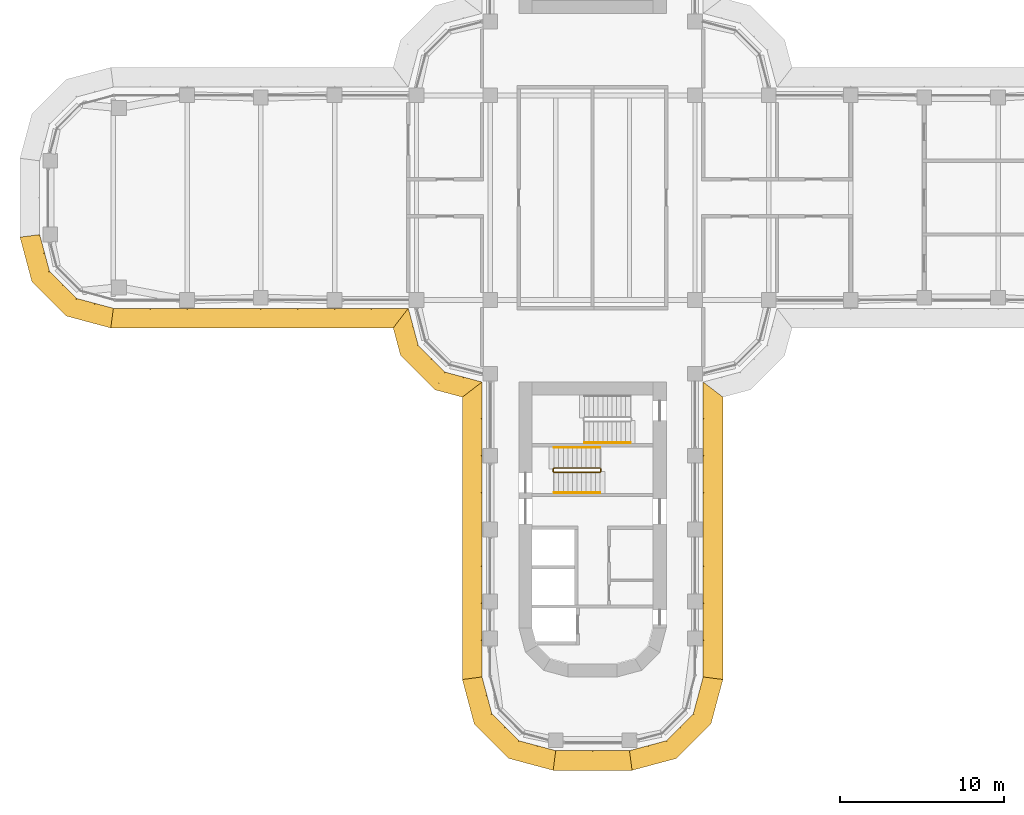
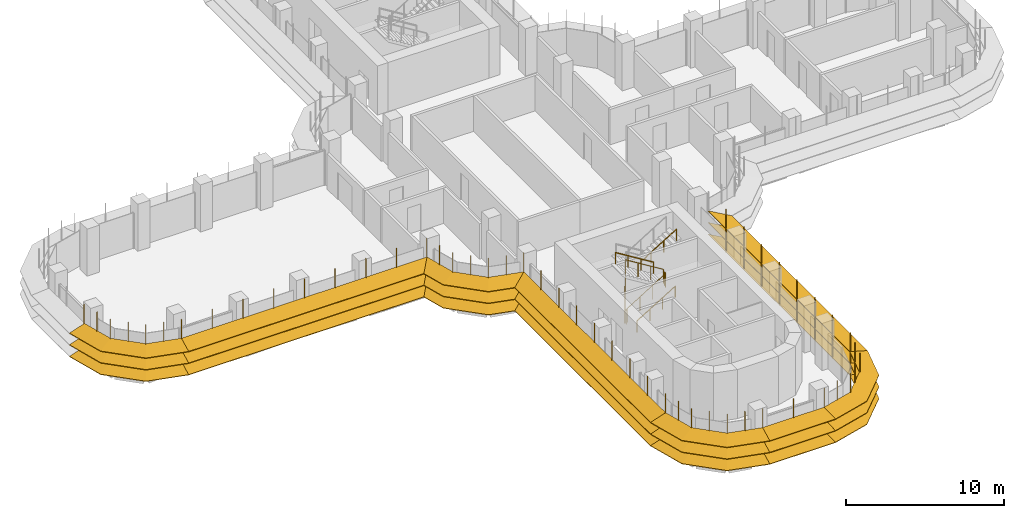
# One storey, part 18 of 21: 8 shading devices, 4 railings.
"""IFC4 building model written with IfcOpenShell, lengths in metres."""

from ifc_helpers import new_model, si_unit, direction, frame, origin, origin_2d, place, context, subcontext, project, spatial, polyline, circle, outline, extrude, faceted_brep, source, transform, mapped, material, type_object, element, save


model = new_model("IFC4")

# Units and contexts
model_context = context("Model", 3, precision=1e-05, world=origin(), true_north=direction((0.0, 1.0)))
body_context = subcontext(model_context, "Body", "Model", "MODEL_VIEW")
ifc_project = project(units=[si_unit("LENGTHUNIT", "METRE"), si_unit("AREAUNIT", "SQUARE_METRE"), si_unit("VOLUMEUNIT", "CUBIC_METRE"), si_unit("PLANEANGLEUNIT", "RADIAN"), si_unit("MASSUNIT", "GRAM", prefix="KILO")], contexts=[model_context])

# Site, building, storey
site_placement = place(None, origin())
site = spatial("IfcSite", under=ifc_project, at=site_placement, CompositionType="ELEMENT")
building_placement = place(site_placement, origin())
building = spatial("IfcBuilding", under=site, at=building_placement, Name="Zarbagh Exchange Tower", CompositionType="ELEMENT")
storey_placement = place(building_placement, frame((0.0, 0.0, 128.39990234375)))
storey = spatial("IfcBuildingStorey", under=building, at=storey_placement, Name="L30", CompositionType="ELEMENT", Elevation=128.39990234375)

# Railings
ifc_material_1 = material(Name="Stainless steel", Category="steel")
railing_type_1 = type_object("IfcRailingType", Name="Stair guard 1100 mm", PredefinedType="GUARDRAIL", material=ifc_material_1)
railing_1_placement = place(storey_placement, frame((0.449951171875, -16.5, 2.07275390625)))
element("IfcRailing", 1, at=railing_1_placement, inside=storey, type_object=railing_type_1, Name="ST3 stair guard 1", PredefinedType="GUARDRAIL", context=body_context, shape_type="SweptSolid", body=[
    extrude(circle(Radius=0.02392578125, at=origin_2d()), frame((0.0, 0.0, 1.076171875), z_axis=(-0.851089632645, 0.0, 0.525020415988), x_axis=(0.0, -1.0, 0.0)), (0.0, 0.0, 1.0), 3.2900390625),
    extrude(circle(Radius=0.02392578125, at=origin_2d()), frame((-2.800048828125, 0.0, 2.80322265625), z_axis=(-0.013104066473, -0.013168302093, -0.99982742474), x_axis=(0.708833529934, -0.705375805398, 0.0)), (0.0, 0.0, 1.0), 3.80078125),
    extrude(circle(Radius=0.02392578125, at=origin_2d()), frame((-2.849853515625, -0.050048828125, -0.99658203125), z_axis=(0.0, -1.0, 0.0), x_axis=(1.0, 0.0, 0.0)), (0.0, 0.0, 1.0), 0.14990234375),
    extrude(circle(Radius=0.02392578125, at=origin_2d()), frame((-2.849853515625, -0.199951171875, -0.99658203125), z_axis=(0.266739603011, -0.268047150085, 0.925743328097), x_axis=(0.708833529934, 0.705375805398, 0.0)), (0.0, 0.0, 1.0), 0.186767578125),
    extrude(circle(Radius=0.02392578125, at=origin_2d()), frame((-2.800048828125, -0.25, -0.82373046875), z_axis=(0.851089632645, 0.0, 0.525020415988), x_axis=(0.0, 1.0, 0.0)), (0.0, 0.0, 1.0), 3.2900390625),
    extrude(circle(Radius=0.02392578125, at=origin_2d()), frame((0.0, -0.25, 0.9033203125), z_axis=(0.707106781187, 0.707106781187, 0.0), x_axis=(-0.707106781187, 0.707106781187, 0.0)), (0.0, 0.0, 1.0), 0.07080078125),
    extrude(circle(Radius=0.02392578125, at=origin_2d()), frame((0.050048828125, -0.199951171875, 0.9033203125), z_axis=(0.0, 1.0, 0.0), x_axis=(-1.0, 0.0, 0.0)), (0.0, 0.0, 1.0), 0.14990234375),
    extrude(circle(Radius=0.02099609375, at=origin_2d()), origin(), (0.0, 0.0, 1.0), 1.052001953125),
    extrude(circle(Radius=0.02099609375, at=origin_2d()), frame((-0.933349609375, 0.0, 0.57568359375)), (0.0, 0.0, 1.0), 1.052001953125),
    extrude(circle(Radius=0.02099609375, at=origin_2d()), frame((-1.86669921875, 0.0, 1.151611328125)), (0.0, 0.0, 1.0), 1.052001953125),
    extrude(circle(Radius=0.02099609375, at=origin_2d()), frame((-2.800048828125, 0.0, 1.727294921875)), (0.0, 0.0, 1.0), 1.052001953125),
    extrude(circle(Radius=0.02099609375, at=origin_2d()), frame((-2.8125, -0.012451171875, 0.77734375)), (0.0, 0.0, 1.0), 1.052001953125),
    extrude(circle(Radius=0.02099609375, at=origin_2d()), frame((-2.824951171875, -0.02490234375, -0.1728515625)), (0.0, 0.0, 1.0), 1.052001953125),
    extrude(circle(Radius=0.02099609375, at=origin_2d()), frame((-2.83740234375, -0.03759765625, -1.122802734375)), (0.0, 0.0, 1.0), 1.052001953125),
    extrude(circle(Radius=0.02099609375, at=origin_2d()), frame((-2.849853515625, -0.050048828125, -2.07275390625)), (0.0, 0.0, 1.0), 1.052001953125),
    extrude(circle(Radius=0.02099609375, at=origin_2d()), frame((-2.849853515625, -0.199951171875, -2.07275390625)), (0.0, 0.0, 1.0), 1.052001953125),
    extrude(circle(Radius=0.02099609375, at=origin_2d()), frame((-2.800048828125, -0.25, -1.89990234375)), (0.0, 0.0, 1.0), 1.052001953125),
    extrude(circle(Radius=0.02099609375, at=origin_2d()), frame((-1.86669921875, -0.25, -1.32421875)), (0.0, 0.0, 1.0), 1.052001953125),
    extrude(circle(Radius=0.02099609375, at=origin_2d()), frame((-0.933349609375, -0.25, -0.748291015625)), (0.0, 0.0, 1.0), 1.052001953125),
    extrude(circle(Radius=0.02099609375, at=origin_2d()), frame((0.0, -0.25, -0.172607421875)), (0.0, 0.0, 1.0), 1.052001953125),
    extrude(circle(Radius=0.02099609375, at=origin_2d()), frame((0.050048828125, -0.199951171875, -0.172607421875)), (0.0, 0.0, 1.0), 1.052001953125),
    extrude(circle(Radius=0.02099609375, at=origin_2d()), frame((0.050048828125, -0.050048828125, -0.172607421875)), (0.0, 0.0, 1.0), 1.052001953125),
])
railing_type_2 = type_object("IfcRailingType", Name="Stair handrail 900 mm", PredefinedType="HANDRAIL", material=ifc_material_1)
railing_2_placement = place(storey_placement, frame((-2.35009765625, -18.0, 0.1728515625)))
element("IfcRailing", 2, at=railing_2_placement, inside=storey, type_object=railing_type_2, Name="ST3 stair handrail 1", PredefinedType="HANDRAIL", context=body_context, shape_type="SweptSolid", body=[
    extrude(circle(Radius=0.02392578125, at=origin_2d()), frame((0.0, 0.0, 0.8759765625), z_axis=(0.851089632645, 0.0, 0.525020415988), x_axis=(0.0, 1.0, 0.0)), (0.0, 0.0, 1.0), 3.2900390625),
    extrude(circle(Radius=0.02099609375, at=origin_2d()), origin(), (0.0, 0.0, 1.0), 0.851806640625),
    extrude(circle(Radius=0.02099609375, at=origin_2d()), frame((0.933349609375, 0.0, 0.57568359375)), (0.0, 0.0, 1.0), 0.851806640625),
    extrude(circle(Radius=0.02099609375, at=origin_2d()), frame((1.86669921875, 0.0, 1.151611328125)), (0.0, 0.0, 1.0), 0.851806640625),
    extrude(circle(Radius=0.02099609375, at=origin_2d()), frame((2.800048828125, 0.0, 1.727294921875)), (0.0, 0.0, 1.0), 0.851806640625),
])
railing_3_placement = place(storey_placement, frame((0.449951171875, -15.25, 2.07275390625)))
element("IfcRailing", 3, at=railing_3_placement, inside=storey, type_object=railing_type_2, Name="ST3 stair handrail 2", PredefinedType="HANDRAIL", context=body_context, shape_type="SweptSolid", body=[
    extrude(circle(Radius=0.02392578125, at=origin_2d()), frame((0.0, 0.0, 0.8759765625), z_axis=(-0.851089632645, 0.0, 0.525020415988), x_axis=(0.0, -1.0, 0.0)), (0.0, 0.0, 1.0), 3.2900390625),
    extrude(circle(Radius=0.02099609375, at=origin_2d()), origin(), (0.0, 0.0, 1.0), 0.851806640625),
    extrude(circle(Radius=0.02099609375, at=origin_2d()), frame((-0.933349609375, 0.0, 0.57568359375)), (0.0, 0.0, 1.0), 0.851806640625),
    extrude(circle(Radius=0.02099609375, at=origin_2d()), frame((-1.86669921875, 0.0, 1.151611328125)), (0.0, 0.0, 1.0), 0.851806640625),
    extrude(circle(Radius=0.02099609375, at=origin_2d()), frame((-2.800048828125, 0.0, 1.727294921875)), (0.0, 0.0, 1.0), 0.851806640625),
])
railing_4_placement = place(storey_placement, frame((-0.5, -14.949951171875, 2.07275390625)))
element("IfcRailing", 4, at=railing_4_placement, inside=storey, type_object=railing_type_2, Name="ST4 stair handrail 2", PredefinedType="HANDRAIL", context=body_context, shape_type="SweptSolid", body=[
    extrude(circle(Radius=0.02392578125, at=origin_2d()), frame((0.0, 0.0, 0.8759765625), z_axis=(0.851089632645, 0.0, 0.525020415988), x_axis=(0.0, 1.0, 0.0)), (0.0, 0.0, 1.0), 3.2900390625),
    extrude(circle(Radius=0.02099609375, at=origin_2d()), origin(), (0.0, 0.0, 1.0), 0.851806640625),
    extrude(circle(Radius=0.02099609375, at=origin_2d()), frame((0.933349609375, 0.0, 0.57568359375)), (0.0, 0.0, 1.0), 0.851806640625),
    extrude(circle(Radius=0.02099609375, at=origin_2d()), frame((1.86669921875, 0.0, 1.151611328125)), (0.0, 0.0, 1.0), 0.851806640625),
    extrude(circle(Radius=0.02099609375, at=origin_2d()), frame((2.800048828125, 0.0, 1.727294921875)), (0.0, 0.0, 1.0), 0.851806640625),
])

# Shading devices
ifc_material_2 = material(Name="Anodised aluminium blades and brackets", Category="aluminium")
shading_device_type = type_object("IfcShadingDeviceType", Name="SUNSHADE louvre band, 11.25 degree blades", PredefinedType="JALOUSIE", material=ifc_material_2)
shared_shape_1 = source(origin(), body_context, "Body", "Brep", [
    faceted_brep([(0.0, 0.0, 0.0), (0.0, 0.0, -0.040771484375), (-0.157958984375, -1.199951171875, -0.279541015625), (-0.157958984375, -1.199951171875, -0.23876953125), (2.65087890625, -1.199951171875, -0.23876953125), (2.65087890625, -1.199951171875, -0.279541015625), (2.329345703125, 0.0, -0.040771484375), (2.329345703125, 0.0, 0.0)], [[[0, 1, 2, 3]], [[4, 5, 6, 7]], [[0, 7, 6, 1]], [[1, 6, 5, 2]], [[2, 5, 4, 3]], [[3, 4, 7, 0]]]),
])
shared_shape_2 = source(origin(), body_context, "Body", "Brep", [
    faceted_brep([(0.0, 0.0, 0.0), (0.0, 0.0, -0.040771484375), (-0.321533203125, -1.199951171875, -0.279541015625), (-0.321533203125, -1.199951171875, -0.23876953125), (2.65087890625, -1.199951171875, -0.23876953125), (2.65087890625, -1.199951171875, -0.279541015625), (2.329345703125, 0.0, -0.040771484375), (2.329345703125, 0.0, 0.0)], [[[0, 1, 2, 3]], [[4, 5, 6, 7]], [[0, 7, 6, 1]], [[1, 6, 5, 2]], [[2, 5, 4, 3]], [[3, 4, 7, 0]]]),
])
shared_shape_3 = source(origin(), body_context, "Body", "Brep", [
    faceted_brep([(0.0, 0.0, 0.0), (0.0, 0.0, -0.040771484375), (-0.321533203125, -1.199951171875, -0.279541015625), (-0.321533203125, -1.199951171875, -0.23876953125), (2.4873046875, -1.199951171875, -0.23876953125), (2.4873046875, -1.199951171875, -0.279541015625), (2.329345703125, 0.0, -0.040771484375), (2.329345703125, 0.0, 0.0)], [[[0, 1, 2, 3]], [[4, 5, 6, 7]], [[0, 7, 6, 1]], [[1, 6, 5, 2]], [[2, 5, 4, 3]], [[3, 4, 7, 0]]]),
])
shared_shape_4 = source(origin(), body_context, "Body", "SweptSolid", [
    extrude(outline(polyline([(0.0, -0.012451171875), (0.06005859375, -0.012451171875), (0.06005859375, 0.012451171875), (0.0, 0.012451171875), (0.0, -0.012451171875)])), origin(), (0.0, 0.0, 1.0), 3.350830078125),
])
placement = place(storey_placement, origin())
element("IfcShadingDevice", 5, at=placement, inside=storey, type_object=shading_device_type, Name="SS01 sunshade band", PredefinedType="JALOUSIE", context=body_context, shape_type="MappedRepresentation", body=[
    mapped(shared_shape_1, transform((2.25, -33.75, 2.300048828125), x_axis=(0.965924289636, 0.258824779902, 0.0), y_axis=(-0.258824779902, 0.965924289636, 0.0), z_axis=(0.0, 0.0, 1.0))),
    mapped(shared_shape_1, transform((2.25, -33.75, 1.400146484375), x_axis=(0.965924289636, 0.258824779902, 0.0), y_axis=(-0.258824779902, 0.965924289636, 0.0), z_axis=(0.0, 0.0, 1.0))),
    mapped(shared_shape_1, transform((2.25, -33.75, 0.5), x_axis=(0.965924289636, 0.258824779902, 0.0), y_axis=(-0.258824779902, 0.965924289636, 0.0), z_axis=(0.0, 0.0, 1.0))),
    mapped(shared_shape_2, transform((4.5, -33.147216796875, 2.300048828125), x_axis=(0.707106781187, 0.707106781187, 0.0), y_axis=(-0.707106781187, 0.707106781187, 0.0), z_axis=(0.0, 0.0, 1.0))),
    mapped(shared_shape_2, transform((4.5, -33.147216796875, 1.400146484375), x_axis=(0.707106781187, 0.707106781187, 0.0), y_axis=(-0.707106781187, 0.707106781187, 0.0), z_axis=(0.0, 0.0, 1.0))),
    mapped(shared_shape_2, transform((4.5, -33.147216796875, 0.5), x_axis=(0.707106781187, 0.707106781187, 0.0), y_axis=(-0.707106781187, 0.707106781187, 0.0), z_axis=(0.0, 0.0, 1.0))),
    mapped(shared_shape_3, transform((6.147216796875, -31.5, 2.300048828125), x_axis=(0.258824779902, 0.965924289636, 0.0), y_axis=(-0.965924289636, 0.258824779902, 0.0), z_axis=(0.0, 0.0, 1.0))),
    mapped(shared_shape_3, transform((6.147216796875, -31.5, 1.400146484375), x_axis=(0.258824779902, 0.965924289636, 0.0), y_axis=(-0.965924289636, 0.258824779902, 0.0), z_axis=(0.0, 0.0, 1.0))),
    mapped(shared_shape_3, transform((6.147216796875, -31.5, 0.5), x_axis=(0.258824779902, 0.965924289636, 0.0), y_axis=(-0.965924289636, 0.258824779902, 0.0), z_axis=(0.0, 0.0, 1.0))),
    mapped(shared_shape_4, transform((2.25, -33.75, 0.42919921875), x_axis=(0.130529263012, -0.991444457092, 0.0), y_axis=(0.991444457092, 0.130529263012, 0.0), z_axis=(0.0, 0.0, 1.0))),
    mapped(shared_shape_4, transform((3.375, -33.448486328125, 0.42919921875), x_axis=(0.258825058029, -0.96592421511, 0.0), y_axis=(0.96592421511, 0.258825058029, 0.0), z_axis=(0.0, 0.0, 1.0))),
    mapped(shared_shape_4, transform((4.5, -33.147216796875, 0.42919921875), x_axis=(0.50000275701, -0.866023812018, 0.0), y_axis=(0.866023812018, 0.50000275701, 0.0), z_axis=(0.0, 0.0, 1.0))),
    mapped(shared_shape_4, transform((5.323486328125, -32.323486328125, 0.42919921875), x_axis=(0.707106781187, -0.707106781187, 0.0), y_axis=(0.707106781187, 0.707106781187, 0.0), z_axis=(0.0, 0.0, 1.0))),
    mapped(shared_shape_4, transform((6.147216796875, -31.5, 0.42919921875), x_axis=(0.866023812018, -0.50000275701, 0.0), y_axis=(0.50000275701, 0.866023812018, 0.0), z_axis=(0.0, 0.0, 1.0))),
    mapped(shared_shape_4, transform((6.448486328125, -30.375, 0.42919921875), x_axis=(0.96592421511, -0.258825058029, 0.0), y_axis=(0.258825058029, 0.96592421511, 0.0), z_axis=(0.0, 0.0, 1.0))),
])
element("IfcShadingDevice", 6, at=placement, inside=storey, type_object=shading_device_type, Name="SS19 sunshade band", PredefinedType="JALOUSIE", context=body_context, shape_type="MappedRepresentation", body=[
    mapped(shared_shape_1, transform((-33.75, -2.25, 2.300048828125), x_axis=(0.258824779902, -0.965924289636, 0.0), y_axis=(0.965924289636, 0.258824779902, 0.0), z_axis=(0.0, 0.0, 1.0))),
    mapped(shared_shape_1, transform((-33.75, -2.25, 1.400146484375), x_axis=(0.258824779902, -0.965924289636, 0.0), y_axis=(0.965924289636, 0.258824779902, 0.0), z_axis=(0.0, 0.0, 1.0))),
    mapped(shared_shape_1, transform((-33.75, -2.25, 0.5), x_axis=(0.258824779902, -0.965924289636, 0.0), y_axis=(0.965924289636, 0.258824779902, 0.0), z_axis=(0.0, 0.0, 1.0))),
    mapped(shared_shape_2, transform((-33.147216796875, -4.5, 2.300048828125), x_axis=(0.707106781187, -0.707106781187, 0.0), y_axis=(0.707106781187, 0.707106781187, 0.0), z_axis=(0.0, 0.0, 1.0))),
    mapped(shared_shape_2, transform((-33.147216796875, -4.5, 1.400146484375), x_axis=(0.707106781187, -0.707106781187, 0.0), y_axis=(0.707106781187, 0.707106781187, 0.0), z_axis=(0.0, 0.0, 1.0))),
    mapped(shared_shape_2, transform((-33.147216796875, -4.5, 0.5), x_axis=(0.707106781187, -0.707106781187, 0.0), y_axis=(0.707106781187, 0.707106781187, 0.0), z_axis=(0.0, 0.0, 1.0))),
    mapped(shared_shape_3, transform((-31.5, -6.147216796875, 2.300048828125), x_axis=(0.965924289636, -0.258824779902, 0.0), y_axis=(0.258824779902, 0.965924289636, 0.0), z_axis=(0.0, 0.0, 1.0))),
    mapped(shared_shape_3, transform((-31.5, -6.147216796875, 1.400146484375), x_axis=(0.965924289636, -0.258824779902, 0.0), y_axis=(0.258824779902, 0.965924289636, 0.0), z_axis=(0.0, 0.0, 1.0))),
    mapped(shared_shape_3, transform((-31.5, -6.147216796875, 0.5), x_axis=(0.965924289636, -0.258824779902, 0.0), y_axis=(0.258824779902, 0.965924289636, 0.0), z_axis=(0.0, 0.0, 1.0))),
    mapped(shared_shape_4, transform((-33.75, -2.25, 0.42919921875), x_axis=(-0.991444457092, -0.130529263012, 0.0), y_axis=(0.130529263012, -0.991444457092, 0.0), z_axis=(0.0, 0.0, 1.0))),
    mapped(shared_shape_4, transform((-33.448486328125, -3.375, 0.42919921875), x_axis=(-0.96592421511, -0.258825058029, 0.0), y_axis=(0.258825058029, -0.96592421511, 0.0), z_axis=(0.0, 0.0, 1.0))),
    mapped(shared_shape_4, transform((-33.147216796875, -4.5, 0.42919921875), x_axis=(-0.866023812018, -0.50000275701, 0.0), y_axis=(0.50000275701, -0.866023812018, 0.0), z_axis=(0.0, 0.0, 1.0))),
    mapped(shared_shape_4, transform((-32.323486328125, -5.323486328125, 0.42919921875), x_axis=(-0.707106781187, -0.707106781187, 0.0), y_axis=(0.707106781187, -0.707106781187, 0.0), z_axis=(0.0, 0.0, 1.0))),
    mapped(shared_shape_4, transform((-31.5, -6.147216796875, 0.42919921875), x_axis=(-0.50000275701, -0.866023812018, 0.0), y_axis=(0.866023812018, -0.50000275701, 0.0), z_axis=(0.0, 0.0, 1.0))),
    mapped(shared_shape_4, transform((-30.375, -6.448486328125, 0.42919921875), x_axis=(-0.258825058029, -0.96592421511, 0.0), y_axis=(0.96592421511, -0.258825058029, 0.0), z_axis=(0.0, 0.0, 1.0))),
])
element("IfcShadingDevice", 7, at=placement, inside=storey, type_object=shading_device_type, Name="SS23 sunshade band", PredefinedType="JALOUSIE", context=body_context, shape_type="MappedRepresentation", body=[
    mapped(shared_shape_1, transform((-6.75, -29.25, 2.300048828125), x_axis=(0.258824779902, -0.965924289636, 0.0), y_axis=(0.965924289636, 0.258824779902, 0.0), z_axis=(0.0, 0.0, 1.0))),
    mapped(shared_shape_1, transform((-6.75, -29.25, 1.400146484375), x_axis=(0.258824779902, -0.965924289636, 0.0), y_axis=(0.965924289636, 0.258824779902, 0.0), z_axis=(0.0, 0.0, 1.0))),
    mapped(shared_shape_1, transform((-6.75, -29.25, 0.5), x_axis=(0.258824779902, -0.965924289636, 0.0), y_axis=(0.965924289636, 0.258824779902, 0.0), z_axis=(0.0, 0.0, 1.0))),
    mapped(shared_shape_2, transform((-6.147216796875, -31.5, 2.300048828125), x_axis=(0.707106781187, -0.707106781187, 0.0), y_axis=(0.707106781187, 0.707106781187, 0.0), z_axis=(0.0, 0.0, 1.0))),
    mapped(shared_shape_2, transform((-6.147216796875, -31.5, 1.400146484375), x_axis=(0.707106781187, -0.707106781187, 0.0), y_axis=(0.707106781187, 0.707106781187, 0.0), z_axis=(0.0, 0.0, 1.0))),
    mapped(shared_shape_2, transform((-6.147216796875, -31.5, 0.5), x_axis=(0.707106781187, -0.707106781187, 0.0), y_axis=(0.707106781187, 0.707106781187, 0.0), z_axis=(0.0, 0.0, 1.0))),
    mapped(shared_shape_3, transform((-4.5, -33.147216796875, 2.300048828125), x_axis=(0.965924289636, -0.258824779902, 0.0), y_axis=(0.258824779902, 0.965924289636, 0.0), z_axis=(0.0, 0.0, 1.0))),
    mapped(shared_shape_3, transform((-4.5, -33.147216796875, 1.400146484375), x_axis=(0.965924289636, -0.258824779902, 0.0), y_axis=(0.258824779902, 0.965924289636, 0.0), z_axis=(0.0, 0.0, 1.0))),
    mapped(shared_shape_3, transform((-4.5, -33.147216796875, 0.5), x_axis=(0.965924289636, -0.258824779902, 0.0), y_axis=(0.258824779902, 0.965924289636, 0.0), z_axis=(0.0, 0.0, 1.0))),
    mapped(shared_shape_4, transform((-6.75, -29.25, 0.42919921875), x_axis=(-0.991444457092, -0.130529263012, 0.0), y_axis=(0.130529263012, -0.991444457092, 0.0), z_axis=(0.0, 0.0, 1.0))),
    mapped(shared_shape_4, transform((-6.448486328125, -30.375, 0.42919921875), x_axis=(-0.96592421511, -0.258825058029, 0.0), y_axis=(0.258825058029, -0.96592421511, 0.0), z_axis=(0.0, 0.0, 1.0))),
    mapped(shared_shape_4, transform((-6.147216796875, -31.5, 0.42919921875), x_axis=(-0.866023812018, -0.50000275701, 0.0), y_axis=(0.50000275701, -0.866023812018, 0.0), z_axis=(0.0, 0.0, 1.0))),
    mapped(shared_shape_4, transform((-5.323486328125, -32.323486328125, 0.42919921875), x_axis=(-0.707106781187, -0.707106781187, 0.0), y_axis=(0.707106781187, -0.707106781187, 0.0), z_axis=(0.0, 0.0, 1.0))),
    mapped(shared_shape_4, transform((-4.5, -33.147216796875, 0.42919921875), x_axis=(-0.50000275701, -0.866023812018, 0.0), y_axis=(0.866023812018, -0.50000275701, 0.0), z_axis=(0.0, 0.0, 1.0))),
    mapped(shared_shape_4, transform((-3.375, -33.448486328125, 0.42919921875), x_axis=(-0.258825058029, -0.96592421511, 0.0), y_axis=(0.96592421511, -0.258825058029, 0.0), z_axis=(0.0, 0.0, 1.0))),
])
shared_shape_5 = source(origin(), body_context, "Body", "Brep", [
    faceted_brep([(0.0, 0.0, 0.0), (0.0, 0.0, -0.040771484375), (0.9208984375, -1.199951171875, -0.279541015625), (0.9208984375, -1.199951171875, -0.23876953125), (2.65087890625, -1.199951171875, -0.23876953125), (2.65087890625, -1.199951171875, -0.279541015625), (2.329345703125, 0.0, -0.040771484375), (2.329345703125, 0.0, 0.0)], [[[0, 1, 2, 3]], [[4, 5, 6, 7]], [[0, 7, 6, 1]], [[1, 6, 5, 2]], [[2, 5, 4, 3]], [[3, 4, 7, 0]]]),
])
shared_shape_6 = source(origin(), body_context, "Body", "Brep", [
    faceted_brep([(0.0, 0.0, 0.0), (0.0, 0.0, -0.040771484375), (-0.321533203125, -1.199951171875, -0.279541015625), (-0.321533203125, -1.199951171875, -0.23876953125), (1.40869140625, -1.199951171875, -0.23876953125), (1.40869140625, -1.199951171875, -0.279541015625), (2.329345703125, 0.0, -0.040771484375), (2.329345703125, 0.0, 0.0)], [[[0, 1, 2, 3]], [[4, 5, 6, 7]], [[0, 7, 6, 1]], [[1, 6, 5, 2]], [[2, 5, 4, 3]], [[3, 4, 7, 0]]]),
])
element("IfcShadingDevice", 8, at=placement, inside=storey, type_object=shading_device_type, Name="SS21 sunshade band", PredefinedType="JALOUSIE", context=body_context, shape_type="MappedRepresentation", body=[
    mapped(shared_shape_5, transform((-11.25, -6.75, 2.300048828125), x_axis=(0.258824779902, -0.965924289636, 0.0), y_axis=(0.965924289636, 0.258824779902, 0.0), z_axis=(0.0, 0.0, 1.0))),
    mapped(shared_shape_5, transform((-11.25, -6.75, 1.400146484375), x_axis=(0.258824779902, -0.965924289636, 0.0), y_axis=(0.965924289636, 0.258824779902, 0.0), z_axis=(0.0, 0.0, 1.0))),
    mapped(shared_shape_5, transform((-11.25, -6.75, 0.5), x_axis=(0.258824779902, -0.965924289636, 0.0), y_axis=(0.965924289636, 0.258824779902, 0.0), z_axis=(0.0, 0.0, 1.0))),
    mapped(shared_shape_2, transform((-10.647216796875, -9.0, 2.300048828125), x_axis=(0.707106781187, -0.707106781187, 0.0), y_axis=(0.707106781187, 0.707106781187, 0.0), z_axis=(0.0, 0.0, 1.0))),
    mapped(shared_shape_2, transform((-10.647216796875, -9.0, 1.400146484375), x_axis=(0.707106781187, -0.707106781187, 0.0), y_axis=(0.707106781187, 0.707106781187, 0.0), z_axis=(0.0, 0.0, 1.0))),
    mapped(shared_shape_2, transform((-10.647216796875, -9.0, 0.5), x_axis=(0.707106781187, -0.707106781187, 0.0), y_axis=(0.707106781187, 0.707106781187, 0.0), z_axis=(0.0, 0.0, 1.0))),
    mapped(shared_shape_6, transform((-9.0, -10.647216796875, 2.300048828125), x_axis=(0.965924289636, -0.258824779902, 0.0), y_axis=(0.258824779902, 0.965924289636, 0.0), z_axis=(0.0, 0.0, 1.0))),
    mapped(shared_shape_6, transform((-9.0, -10.647216796875, 1.400146484375), x_axis=(0.965924289636, -0.258824779902, 0.0), y_axis=(0.258824779902, 0.965924289636, 0.0), z_axis=(0.0, 0.0, 1.0))),
    mapped(shared_shape_6, transform((-9.0, -10.647216796875, 0.5), x_axis=(0.965924289636, -0.258824779902, 0.0), y_axis=(0.258824779902, 0.965924289636, 0.0), z_axis=(0.0, 0.0, 1.0))),
    mapped(shared_shape_4, transform((-11.25, -6.75, 0.42919921875), x_axis=(-0.608758892, -0.793355287, 0.0), y_axis=(0.793355287, -0.608758892, 0.0), z_axis=(0.0, 0.0, 1.0))),
    mapped(shared_shape_4, transform((-10.948486328125, -7.875, 0.42919921875), x_axis=(-0.96592421511, -0.258825058029, 0.0), y_axis=(0.258825058029, -0.96592421511, 0.0), z_axis=(0.0, 0.0, 1.0))),
    mapped(shared_shape_4, transform((-10.647216796875, -9.0, 0.42919921875), x_axis=(-0.866023812018, -0.50000275701, 0.0), y_axis=(0.50000275701, -0.866023812018, 0.0), z_axis=(0.0, 0.0, 1.0))),
    mapped(shared_shape_4, transform((-9.823486328125, -9.823486328125, 0.42919921875), x_axis=(-0.707106781187, -0.707106781187, 0.0), y_axis=(0.707106781187, -0.707106781187, 0.0), z_axis=(0.0, 0.0, 1.0))),
    mapped(shared_shape_4, transform((-9.0, -10.647216796875, 0.42919921875), x_axis=(-0.50000275701, -0.866023812018, 0.0), y_axis=(0.866023812018, -0.50000275701, 0.0), z_axis=(0.0, 0.0, 1.0))),
    mapped(shared_shape_4, transform((-7.875, -10.948486328125, 0.42919921875), x_axis=(-0.258825058029, -0.96592421511, 0.0), y_axis=(0.96592421511, -0.258825058029, 0.0), z_axis=(0.0, 0.0, 1.0))),
])
shared_shape_7 = source(origin(), body_context, "Body", "Brep", [
    faceted_brep([(0.0, 0.0, 0.0), (0.0, 0.0, -0.040771484375), (-0.157958984375, -1.199951171875, -0.279541015625), (-0.157958984375, -1.199951171875, -0.23876953125), (17.0791015625, -1.199951171875, -0.23876953125), (17.0791015625, -1.199951171875, -0.279541015625), (18.0, 0.0, -0.040771484375), (18.0, 0.0, 0.0)], [[[0, 1, 2, 3]], [[4, 5, 6, 7]], [[0, 7, 6, 1]], [[1, 6, 5, 2]], [[2, 5, 4, 3]], [[3, 4, 7, 0]]]),
])
element("IfcShadingDevice", 9, at=placement, inside=storey, type_object=shading_device_type, Name="SS02 sunshade band", PredefinedType="JALOUSIE", context=body_context, shape_type="MappedRepresentation", body=[
    mapped(shared_shape_7, transform((6.75, -29.25, 2.300048828125), x_axis=(0.0, 1.0, 0.0), y_axis=(-1.0, 0.0, 0.0), z_axis=(0.0, 0.0, 1.0))),
    mapped(shared_shape_7, transform((6.75, -29.25, 1.400146484375), x_axis=(0.0, 1.0, 0.0), y_axis=(-1.0, 0.0, 0.0), z_axis=(0.0, 0.0, 1.0))),
    mapped(shared_shape_7, transform((6.75, -29.25, 0.5), x_axis=(0.0, 1.0, 0.0), y_axis=(-1.0, 0.0, 0.0), z_axis=(0.0, 0.0, 1.0))),
    mapped(shared_shape_4, transform((6.75, -29.25, 0.42919921875), x_axis=(0.991444457092, -0.130529263012, 0.0), y_axis=(0.130529263012, 0.991444457092, 0.0), z_axis=(0.0, 0.0, 1.0))),
    mapped(shared_shape_4, transform((6.75, -27.0, 0.42919921875), x_axis=(1.0, 0.0, 0.0), y_axis=(0.0, 1.0, 0.0), z_axis=(0.0, 0.0, 1.0))),
    mapped(shared_shape_4, transform((6.75, -24.75, 0.42919921875), x_axis=(1.0, 0.0, 0.0), y_axis=(0.0, 1.0, 0.0), z_axis=(0.0, 0.0, 1.0))),
    mapped(shared_shape_4, transform((6.75, -22.5, 0.42919921875), x_axis=(1.0, 0.0, 0.0), y_axis=(0.0, 1.0, 0.0), z_axis=(0.0, 0.0, 1.0))),
    mapped(shared_shape_4, transform((6.75, -20.25, 0.42919921875), x_axis=(1.0, 0.0, 0.0), y_axis=(0.0, 1.0, 0.0), z_axis=(0.0, 0.0, 1.0))),
    mapped(shared_shape_4, transform((6.75, -18.0, 0.42919921875), x_axis=(1.0, 0.0, 0.0), y_axis=(0.0, 1.0, 0.0), z_axis=(0.0, 0.0, 1.0))),
    mapped(shared_shape_4, transform((6.75, -15.75, 0.42919921875), x_axis=(1.0, 0.0, 0.0), y_axis=(0.0, 1.0, 0.0), z_axis=(0.0, 0.0, 1.0))),
    mapped(shared_shape_4, transform((6.75, -13.5, 0.42919921875), x_axis=(1.0, 0.0, 0.0), y_axis=(0.0, 1.0, 0.0), z_axis=(0.0, 0.0, 1.0))),
])
element("IfcShadingDevice", 10, at=placement, inside=storey, type_object=shading_device_type, Name="SS20 sunshade band", PredefinedType="JALOUSIE", context=body_context, shape_type="MappedRepresentation", body=[
    mapped(shared_shape_7, transform((-29.25, -6.75, 2.300048828125), x_axis=(1.0, 0.0, 0.0), y_axis=(0.0, 1.0, 0.0), z_axis=(0.0, 0.0, 1.0))),
    mapped(shared_shape_7, transform((-29.25, -6.75, 1.400146484375), x_axis=(1.0, 0.0, 0.0), y_axis=(0.0, 1.0, 0.0), z_axis=(0.0, 0.0, 1.0))),
    mapped(shared_shape_7, transform((-29.25, -6.75, 0.5), x_axis=(1.0, 0.0, 0.0), y_axis=(0.0, 1.0, 0.0), z_axis=(0.0, 0.0, 1.0))),
    mapped(shared_shape_4, transform((-29.25, -6.75, 0.42919921875), x_axis=(-0.130529263012, -0.991444457092, 0.0), y_axis=(0.991444457092, -0.130529263012, 0.0), z_axis=(0.0, 0.0, 1.0))),
    mapped(shared_shape_4, transform((-27.0, -6.75, 0.42919921875), x_axis=(0.0, -1.0, 0.0), y_axis=(1.0, 0.0, 0.0), z_axis=(0.0, 0.0, 1.0))),
    mapped(shared_shape_4, transform((-24.75, -6.75, 0.42919921875), x_axis=(0.0, -1.0, 0.0), y_axis=(1.0, 0.0, 0.0), z_axis=(0.0, 0.0, 1.0))),
    mapped(shared_shape_4, transform((-22.5, -6.75, 0.42919921875), x_axis=(0.0, -1.0, 0.0), y_axis=(1.0, 0.0, 0.0), z_axis=(0.0, 0.0, 1.0))),
    mapped(shared_shape_4, transform((-20.25, -6.75, 0.42919921875), x_axis=(0.0, -1.0, 0.0), y_axis=(1.0, 0.0, 0.0), z_axis=(0.0, 0.0, 1.0))),
    mapped(shared_shape_4, transform((-18.0, -6.75, 0.42919921875), x_axis=(0.0, -1.0, 0.0), y_axis=(1.0, 0.0, 0.0), z_axis=(0.0, 0.0, 1.0))),
    mapped(shared_shape_4, transform((-15.75, -6.75, 0.42919921875), x_axis=(0.0, -1.0, 0.0), y_axis=(1.0, 0.0, 0.0), z_axis=(0.0, 0.0, 1.0))),
    mapped(shared_shape_4, transform((-13.5, -6.75, 0.42919921875), x_axis=(0.0, -1.0, 0.0), y_axis=(1.0, 0.0, 0.0), z_axis=(0.0, 0.0, 1.0))),
])
shared_shape_8 = source(origin(), body_context, "Body", "Brep", [
    faceted_brep([(0.0, 0.0, 0.0), (0.0, 0.0, -0.040771484375), (0.9208984375, -1.199951171875, -0.279541015625), (0.9208984375, -1.199951171875, -0.23876953125), (18.157958984375, -1.199951171875, -0.23876953125), (18.157958984375, -1.199951171875, -0.279541015625), (18.0, 0.0, -0.040771484375), (18.0, 0.0, 0.0)], [[[0, 1, 2, 3]], [[4, 5, 6, 7]], [[0, 7, 6, 1]], [[1, 6, 5, 2]], [[2, 5, 4, 3]], [[3, 4, 7, 0]]]),
])
element("IfcShadingDevice", 11, at=placement, inside=storey, type_object=shading_device_type, Name="SS22 sunshade band", PredefinedType="JALOUSIE", context=body_context, shape_type="MappedRepresentation", body=[
    mapped(shared_shape_8, transform((-6.75, -11.25, 2.300048828125), x_axis=(0.0, -1.0, 0.0), y_axis=(1.0, 0.0, 0.0), z_axis=(0.0, 0.0, 1.0))),
    mapped(shared_shape_8, transform((-6.75, -11.25, 1.400146484375), x_axis=(0.0, -1.0, 0.0), y_axis=(1.0, 0.0, 0.0), z_axis=(0.0, 0.0, 1.0))),
    mapped(shared_shape_8, transform((-6.75, -11.25, 0.5), x_axis=(0.0, -1.0, 0.0), y_axis=(1.0, 0.0, 0.0), z_axis=(0.0, 0.0, 1.0))),
    mapped(shared_shape_4, transform((-6.75, -11.25, 0.42919921875), x_axis=(-0.793355287, -0.608758892, 0.0), y_axis=(0.608758892, -0.793355287, 0.0), z_axis=(0.0, 0.0, 1.0))),
    mapped(shared_shape_4, transform((-6.75, -13.5, 0.42919921875), x_axis=(-1.0, 0.0, 0.0), y_axis=(0.0, -1.0, 0.0), z_axis=(0.0, 0.0, 1.0))),
    mapped(shared_shape_4, transform((-6.75, -15.75, 0.42919921875), x_axis=(-1.0, 0.0, 0.0), y_axis=(0.0, -1.0, 0.0), z_axis=(0.0, 0.0, 1.0))),
    mapped(shared_shape_4, transform((-6.75, -18.0, 0.42919921875), x_axis=(-1.0, 0.0, 0.0), y_axis=(0.0, -1.0, 0.0), z_axis=(0.0, 0.0, 1.0))),
    mapped(shared_shape_4, transform((-6.75, -20.25, 0.42919921875), x_axis=(-1.0, 0.0, 0.0), y_axis=(0.0, -1.0, 0.0), z_axis=(0.0, 0.0, 1.0))),
    mapped(shared_shape_4, transform((-6.75, -22.5, 0.42919921875), x_axis=(-1.0, 0.0, 0.0), y_axis=(0.0, -1.0, 0.0), z_axis=(0.0, 0.0, 1.0))),
    mapped(shared_shape_4, transform((-6.75, -24.75, 0.42919921875), x_axis=(-1.0, 0.0, 0.0), y_axis=(0.0, -1.0, 0.0), z_axis=(0.0, 0.0, 1.0))),
    mapped(shared_shape_4, transform((-6.75, -27.0, 0.42919921875), x_axis=(-1.0, 0.0, 0.0), y_axis=(0.0, -1.0, 0.0), z_axis=(0.0, 0.0, 1.0))),
])
shared_shape_9 = source(origin(), body_context, "Body", "Brep", [
    faceted_brep([(0.0, 0.0, 0.0), (0.0, 0.0, -0.040771484375), (-0.157958984375, -1.199951171875, -0.279541015625), (-0.157958984375, -1.199951171875, -0.23876953125), (4.657958984375, -1.199951171875, -0.23876953125), (4.657958984375, -1.199951171875, -0.279541015625), (4.5, 0.0, -0.040771484375), (4.5, 0.0, 0.0)], [[[0, 1, 2, 3]], [[4, 5, 6, 7]], [[0, 7, 6, 1]], [[1, 6, 5, 2]], [[2, 5, 4, 3]], [[3, 4, 7, 0]]]),
])
element("IfcShadingDevice", 12, at=placement, inside=storey, type_object=shading_device_type, Name="SS24 sunshade band", PredefinedType="JALOUSIE", context=body_context, shape_type="MappedRepresentation", body=[
    mapped(shared_shape_9, transform((-2.25, -33.75, 2.300048828125), x_axis=(1.0, 0.0, 0.0), y_axis=(0.0, 1.0, 0.0), z_axis=(0.0, 0.0, 1.0))),
    mapped(shared_shape_9, transform((-2.25, -33.75, 1.400146484375), x_axis=(1.0, 0.0, 0.0), y_axis=(0.0, 1.0, 0.0), z_axis=(0.0, 0.0, 1.0))),
    mapped(shared_shape_9, transform((-2.25, -33.75, 0.5), x_axis=(1.0, 0.0, 0.0), y_axis=(0.0, 1.0, 0.0), z_axis=(0.0, 0.0, 1.0))),
    mapped(shared_shape_4, transform((-2.25, -33.75, 0.42919921875), x_axis=(-0.130529263012, -0.991444457092, 0.0), y_axis=(0.991444457092, -0.130529263012, 0.0), z_axis=(0.0, 0.0, 1.0))),
    mapped(shared_shape_4, transform((0.0, -33.75, 0.42919921875), x_axis=(0.0, -1.0, 0.0), y_axis=(1.0, 0.0, 0.0), z_axis=(0.0, 0.0, 1.0))),
])

save(model, "model.ifc")
